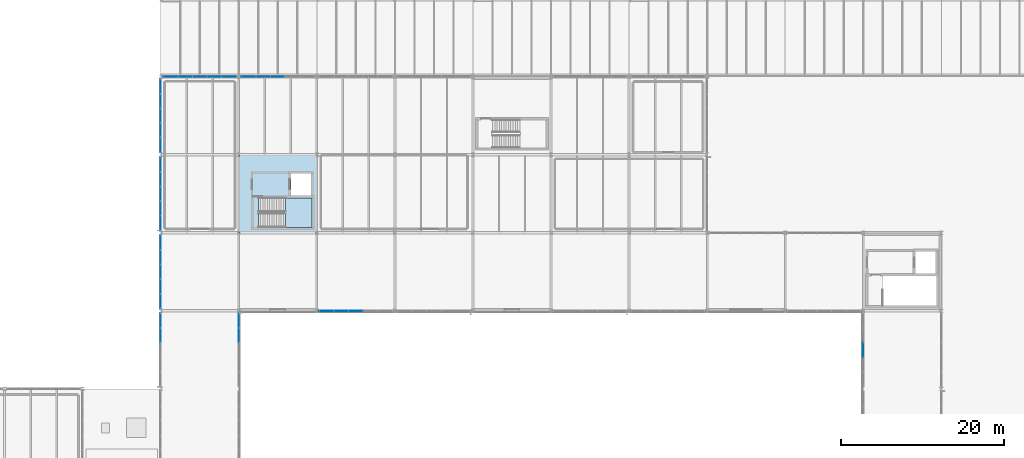
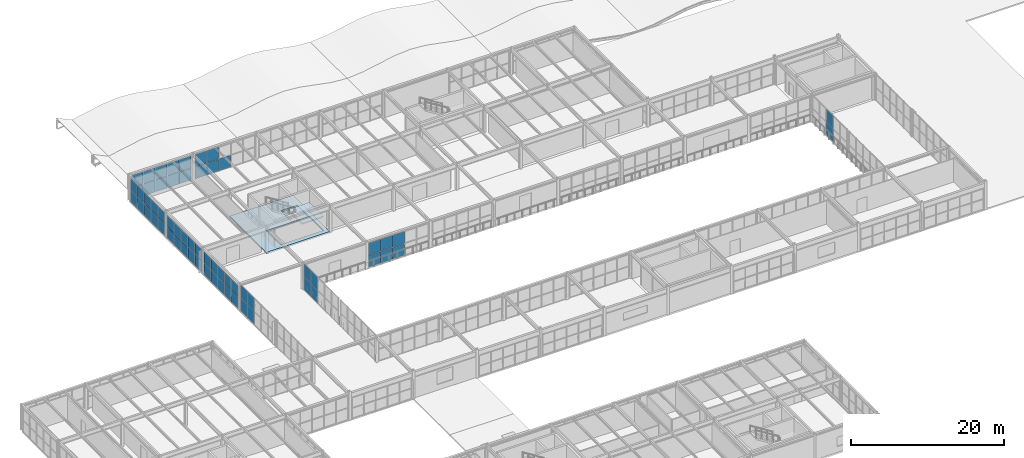
# One storey, part 138 of 170: 61 plates, 2 slabs, 10 elements without a shape of their own.
"""IFC4 building model written with IfcOpenShell, lengths in metres."""

from ifc_helpers import new_model, si_unit, direction, frame, origin, origin_2d, place, context, subcontext, project, spatial, polyline, rectangle, outline, extrude, material, layer, layer_set, type_object, element, aggregate, save


model = new_model("IFC4")

# Units and contexts
model_context = context("Model", 3, precision=1e-05, world=origin(), true_north=direction((0.0, 1.0)))
body_context = subcontext(model_context, "Body", "Model", "MODEL_VIEW")
ifc_project = project(units=[si_unit("LENGTHUNIT", "METRE"), si_unit("AREAUNIT", "SQUARE_METRE"), si_unit("VOLUMEUNIT", "CUBIC_METRE"), si_unit("PLANEANGLEUNIT", "RADIAN"), si_unit("MASSUNIT", "GRAM", prefix="KILO")], contexts=[model_context])

# Site, building, storey
site_placement = place(None, origin())
site = spatial("IfcSite", under=ifc_project, at=site_placement, CompositionType="ELEMENT")
building_placement = place(site_placement, origin())
building = spatial("IfcBuilding", under=site, at=building_placement, Name="Coralgate Yard Interchange", CompositionType="ELEMENT")
storey_placement = place(building_placement, frame((0.0, 0.0, 6.0)))
storey = spatial("IfcBuildingStorey", under=building, at=storey_placement, Name="L01", CompositionType="ELEMENT", Elevation=6.0)

# Curtain wall, plates
ifc_material_1 = material(Name="Anodised coastal aluminium and solar-control low-E glass", Category="aluminium")
curtain_wall_type_1 = type_object("IfcCurtainWallType", Name="CW-CW-L01-A", PredefinedType="NOTDEFINED", material=ifc_material_1)
curtain_wall_1_placement = place(storey_placement, origin())
curtain_wall_1 = element("IfcCurtainWall", 1, at=curtain_wall_1_placement, inside=storey, type_object=curtain_wall_type_1, Name="L01 unitised curtain wall CW-L01-W-04-06", PredefinedType="NOTDEFINED")
ifc_material_2 = material(Name="Solar-control double-glazed low-E glass unit", Category="glass")
ifc_layer_1 = layer(ifc_material_2, 0.031982421875)
ifc_layer_set_1 = layer_set([ifc_layer_1], Name="Solar-control double-glazed low-E glass unit")
plate_type = type_object("IfcPlateType", Name="PLT-CP-32", PredefinedType="CURTAIN_PANEL", material=ifc_layer_set_1)
plate_1_placement = place(storey_placement, frame((38.39990234375, 64.199951171875, 0.02490234375), z_axis=(0.0, 0.0, 1.0), x_axis=(0.0, 1.0, 0.0)))
plate_1 = element("IfcPlate", 2, at=plate_1_placement, type_object=plate_type, Name="CW-L01-W-04-06 solar-control glazing panel 4-1", PredefinedType="CURTAIN_PANEL", context=body_context, shape_type="SweptSolid", body=[
    extrude(rectangle(XDim=1.75, YDim=0.031982421875, at=origin_2d()), origin(), (0.0, 0.0, 1.0), 2.074951171875),
])
plate_2_placement = place(storey_placement, frame((38.39990234375, 64.199951171875, 2.14990234375), z_axis=(0.0, 0.0, 1.0), x_axis=(0.0, 1.0, 0.0)))
plate_2 = element("IfcPlate", 3, at=plate_2_placement, type_object=plate_type, Name="CW-L01-W-04-06 solar-control glazing panel 4-2", PredefinedType="CURTAIN_PANEL", context=body_context, shape_type="SweptSolid", body=[
    extrude(rectangle(XDim=1.75, YDim=0.031982421875, at=origin_2d()), origin(), (0.0, 0.0, 1.0), 2.074951171875),
])
plate_3_placement = place(storey_placement, frame((38.39990234375, 66.0, 0.02490234375), z_axis=(0.0, 0.0, 1.0), x_axis=(0.0, 1.0, 0.0)))
plate_3 = element("IfcPlate", 4, at=plate_3_placement, type_object=plate_type, Name="CW-L01-W-04-06 solar-control glazing panel 5-1", PredefinedType="CURTAIN_PANEL", context=body_context, shape_type="SweptSolid", body=[
    extrude(rectangle(XDim=1.75, YDim=0.031982421875, at=origin_2d()), origin(), (0.0, 0.0, 1.0), 2.074951171875),
])
plate_4_placement = place(storey_placement, frame((38.39990234375, 66.0, 2.14990234375), z_axis=(0.0, 0.0, 1.0), x_axis=(0.0, 1.0, 0.0)))
plate_4 = element("IfcPlate", 5, at=plate_4_placement, type_object=plate_type, Name="CW-L01-W-04-06 solar-control glazing panel 5-2", PredefinedType="CURTAIN_PANEL", context=body_context, shape_type="SweptSolid", body=[
    extrude(rectangle(XDim=1.75, YDim=0.031982421875, at=origin_2d()), origin(), (0.0, 0.0, 1.0), 2.074951171875),
])
aggregate(curtain_wall_1, [plate_1, plate_2, plate_3, plate_4])

curtain_wall_type_2 = type_object("IfcCurtainWallType", Name="CW-CW-L01-B", PredefinedType="NOTDEFINED", material=ifc_material_1)
curtain_wall_2_placement = place(storey_placement, origin())
curtain_wall_2 = element("IfcCurtainWall", 6, at=curtain_wall_2_placement, inside=storey, type_object=curtain_wall_type_2, Name="L01 unitised curtain wall CW-L01-E-04-06", PredefinedType="NOTDEFINED")
plate_5_placement = place(storey_placement, frame((48.0, 66.0, 0.02490234375), z_axis=(0.0, 0.0, 1.0), x_axis=(0.0, -1.0, 0.0)))
plate_5 = element("IfcPlate", 7, at=plate_5_placement, type_object=plate_type, Name="CW-L01-E-04-06 solar-control glazing panel 1-1", PredefinedType="CURTAIN_PANEL", context=body_context, shape_type="SweptSolid", body=[
    extrude(rectangle(XDim=1.75, YDim=0.031982421875, at=origin_2d()), origin(), (0.0, 0.0, 1.0), 2.074951171875),
])
plate_6_placement = place(storey_placement, frame((48.0, 66.0, 2.14990234375), z_axis=(0.0, 0.0, 1.0), x_axis=(0.0, -1.0, 0.0)))
plate_6 = element("IfcPlate", 8, at=plate_6_placement, type_object=plate_type, Name="CW-L01-E-04-06 solar-control glazing panel 1-2", PredefinedType="CURTAIN_PANEL", context=body_context, shape_type="SweptSolid", body=[
    extrude(rectangle(XDim=1.75, YDim=0.031982421875, at=origin_2d()), origin(), (0.0, 0.0, 1.0), 2.074951171875),
])
plate_7_placement = place(storey_placement, frame((48.0, 64.199951171875, 0.02490234375), z_axis=(0.0, 0.0, 1.0), x_axis=(0.0, -1.0, 0.0)))
plate_7 = element("IfcPlate", 9, at=plate_7_placement, type_object=plate_type, Name="CW-L01-E-04-06 solar-control glazing panel 2-1", PredefinedType="CURTAIN_PANEL", context=body_context, shape_type="SweptSolid", body=[
    extrude(rectangle(XDim=1.75, YDim=0.031982421875, at=origin_2d()), origin(), (0.0, 0.0, 1.0), 2.074951171875),
])
plate_8_placement = place(storey_placement, frame((48.0, 64.199951171875, 2.14990234375), z_axis=(0.0, 0.0, 1.0), x_axis=(0.0, -1.0, 0.0)))
plate_8 = element("IfcPlate", 10, at=plate_8_placement, type_object=plate_type, Name="CW-L01-E-04-06 solar-control glazing panel 2-2", PredefinedType="CURTAIN_PANEL", context=body_context, shape_type="SweptSolid", body=[
    extrude(rectangle(XDim=1.75, YDim=0.031982421875, at=origin_2d()), origin(), (0.0, 0.0, 1.0), 2.074951171875),
])
aggregate(curtain_wall_2, [plate_5, plate_6, plate_7, plate_8])

curtain_wall_3_placement = place(storey_placement, origin())
curtain_wall_3 = element("IfcCurtainWall", 11, at=curtain_wall_3_placement, inside=storey, type_object=curtain_wall_type_1, Name="L01 unitised curtain wall CW-L01-W-04-07", PredefinedType="NOTDEFINED")
plate_9_placement = place(storey_placement, frame((38.39990234375, 68.39990234375, 0.02490234375), z_axis=(0.0, 0.0, 1.0), x_axis=(0.0, 1.0, 0.0)))
plate_9 = element("IfcPlate", 12, at=plate_9_placement, type_object=plate_type, Name="CW-L01-W-04-07 solar-control glazing panel 1-1", PredefinedType="CURTAIN_PANEL", context=body_context, shape_type="SweptSolid", body=[
    extrude(rectangle(XDim=1.75, YDim=0.031982421875, at=origin_2d()), origin(), (0.0, 0.0, 1.0), 1.808349609375),
])
plate_10_placement = place(storey_placement, frame((38.39990234375, 68.39990234375, 1.88330078125), z_axis=(0.0, 0.0, 1.0), x_axis=(0.0, 1.0, 0.0)))
plate_10 = element("IfcPlate", 13, at=plate_10_placement, type_object=plate_type, Name="CW-L01-W-04-07 solar-control glazing panel 1-2", PredefinedType="CURTAIN_PANEL", context=body_context, shape_type="SweptSolid", body=[
    extrude(rectangle(XDim=1.75, YDim=0.031982421875, at=origin_2d()), origin(), (0.0, 0.0, 1.0), 1.808349609375),
])
plate_11_placement = place(storey_placement, frame((38.39990234375, 70.199951171875, 0.02490234375), z_axis=(0.0, 0.0, 1.0), x_axis=(0.0, 1.0, 0.0)))
plate_11 = element("IfcPlate", 14, at=plate_11_placement, type_object=plate_type, Name="CW-L01-W-04-07 solar-control glazing panel 2-1", PredefinedType="CURTAIN_PANEL", context=body_context, shape_type="SweptSolid", body=[
    extrude(rectangle(XDim=1.75, YDim=0.031982421875, at=origin_2d()), origin(), (0.0, 0.0, 1.0), 1.808349609375),
])
plate_12_placement = place(storey_placement, frame((38.39990234375, 70.199951171875, 1.88330078125), z_axis=(0.0, 0.0, 1.0), x_axis=(0.0, 1.0, 0.0)))
plate_12 = element("IfcPlate", 15, at=plate_12_placement, type_object=plate_type, Name="CW-L01-W-04-07 solar-control glazing panel 2-2", PredefinedType="CURTAIN_PANEL", context=body_context, shape_type="SweptSolid", body=[
    extrude(rectangle(XDim=1.75, YDim=0.031982421875, at=origin_2d()), origin(), (0.0, 0.0, 1.0), 1.808349609375),
])
plate_13_placement = place(storey_placement, frame((38.39990234375, 72.0, 0.02490234375), z_axis=(0.0, 0.0, 1.0), x_axis=(0.0, 1.0, 0.0)))
plate_13 = element("IfcPlate", 16, at=plate_13_placement, type_object=plate_type, Name="CW-L01-W-04-07 solar-control glazing panel 3-1", PredefinedType="CURTAIN_PANEL", context=body_context, shape_type="SweptSolid", body=[
    extrude(rectangle(XDim=1.75, YDim=0.031982421875, at=origin_2d()), origin(), (0.0, 0.0, 1.0), 1.808349609375),
])
plate_14_placement = place(storey_placement, frame((38.39990234375, 72.0, 1.88330078125), z_axis=(0.0, 0.0, 1.0), x_axis=(0.0, 1.0, 0.0)))
plate_14 = element("IfcPlate", 17, at=plate_14_placement, type_object=plate_type, Name="CW-L01-W-04-07 solar-control glazing panel 3-2", PredefinedType="CURTAIN_PANEL", context=body_context, shape_type="SweptSolid", body=[
    extrude(rectangle(XDim=1.75, YDim=0.031982421875, at=origin_2d()), origin(), (0.0, 0.0, 1.0), 1.808349609375),
])
plate_15_placement = place(storey_placement, frame((38.39990234375, 73.800048828125, 0.02490234375), z_axis=(0.0, 0.0, 1.0), x_axis=(0.0, 1.0, 0.0)))
plate_15 = element("IfcPlate", 18, at=plate_15_placement, type_object=plate_type, Name="CW-L01-W-04-07 solar-control glazing panel 4-1", PredefinedType="CURTAIN_PANEL", context=body_context, shape_type="SweptSolid", body=[
    extrude(rectangle(XDim=1.75, YDim=0.031982421875, at=origin_2d()), origin(), (0.0, 0.0, 1.0), 1.808349609375),
])
plate_16_placement = place(storey_placement, frame((38.39990234375, 73.800048828125, 1.88330078125), z_axis=(0.0, 0.0, 1.0), x_axis=(0.0, 1.0, 0.0)))
plate_16 = element("IfcPlate", 19, at=plate_16_placement, type_object=plate_type, Name="CW-L01-W-04-07 solar-control glazing panel 4-2", PredefinedType="CURTAIN_PANEL", context=body_context, shape_type="SweptSolid", body=[
    extrude(rectangle(XDim=1.75, YDim=0.031982421875, at=origin_2d()), origin(), (0.0, 0.0, 1.0), 1.808349609375),
])
plate_17_placement = place(storey_placement, frame((38.39990234375, 75.60009765625, 0.02490234375), z_axis=(0.0, 0.0, 1.0), x_axis=(0.0, 1.0, 0.0)))
plate_17 = element("IfcPlate", 20, at=plate_17_placement, type_object=plate_type, Name="CW-L01-W-04-07 solar-control glazing panel 5-1", PredefinedType="CURTAIN_PANEL", context=body_context, shape_type="SweptSolid", body=[
    extrude(rectangle(XDim=1.75, YDim=0.031982421875, at=origin_2d()), origin(), (0.0, 0.0, 1.0), 1.808349609375),
])
plate_18_placement = place(storey_placement, frame((38.39990234375, 75.60009765625, 1.88330078125), z_axis=(0.0, 0.0, 1.0), x_axis=(0.0, 1.0, 0.0)))
plate_18 = element("IfcPlate", 21, at=plate_18_placement, type_object=plate_type, Name="CW-L01-W-04-07 solar-control glazing panel 5-2", PredefinedType="CURTAIN_PANEL", context=body_context, shape_type="SweptSolid", body=[
    extrude(rectangle(XDim=1.75, YDim=0.031982421875, at=origin_2d()), origin(), (0.0, 0.0, 1.0), 1.808349609375),
])
aggregate(curtain_wall_3, [plate_9, plate_10, plate_11, plate_12, plate_13, plate_14, plate_15, plate_16, plate_17, plate_18])

curtain_wall_4_placement = place(storey_placement, origin())
curtain_wall_4 = element("IfcCurtainWall", 22, at=curtain_wall_4_placement, inside=storey, type_object=curtain_wall_type_2, Name="L01 unitised curtain wall CW-L01-W-04-08", PredefinedType="NOTDEFINED")
plate_19_placement = place(storey_placement, frame((38.39990234375, 78.0, 0.02490234375), z_axis=(0.0, 0.0, 1.0), x_axis=(0.0, 1.0, 0.0)))
plate_19 = element("IfcPlate", 23, at=plate_19_placement, type_object=plate_type, Name="CW-L01-W-04-08 solar-control glazing panel 1-1", PredefinedType="CURTAIN_PANEL", context=body_context, shape_type="SweptSolid", body=[
    extrude(rectangle(XDim=1.75, YDim=0.031982421875, at=origin_2d()), origin(), (0.0, 0.0, 1.0), 1.808349609375),
])
plate_20_placement = place(storey_placement, frame((38.39990234375, 78.0, 1.88330078125), z_axis=(0.0, 0.0, 1.0), x_axis=(0.0, 1.0, 0.0)))
plate_20 = element("IfcPlate", 24, at=plate_20_placement, type_object=plate_type, Name="CW-L01-W-04-08 solar-control glazing panel 1-2", PredefinedType="CURTAIN_PANEL", context=body_context, shape_type="SweptSolid", body=[
    extrude(rectangle(XDim=1.75, YDim=0.031982421875, at=origin_2d()), origin(), (0.0, 0.0, 1.0), 1.808349609375),
])
plate_21_placement = place(storey_placement, frame((38.39990234375, 79.800048828125, 0.02490234375), z_axis=(0.0, 0.0, 1.0), x_axis=(0.0, 1.0, 0.0)))
plate_21 = element("IfcPlate", 25, at=plate_21_placement, type_object=plate_type, Name="CW-L01-W-04-08 solar-control glazing panel 2-1", PredefinedType="CURTAIN_PANEL", context=body_context, shape_type="SweptSolid", body=[
    extrude(rectangle(XDim=1.75, YDim=0.031982421875, at=origin_2d()), origin(), (0.0, 0.0, 1.0), 1.808349609375),
])
plate_22_placement = place(storey_placement, frame((38.39990234375, 79.800048828125, 1.88330078125), z_axis=(0.0, 0.0, 1.0), x_axis=(0.0, 1.0, 0.0)))
plate_22 = element("IfcPlate", 26, at=plate_22_placement, type_object=plate_type, Name="CW-L01-W-04-08 solar-control glazing panel 2-2", PredefinedType="CURTAIN_PANEL", context=body_context, shape_type="SweptSolid", body=[
    extrude(rectangle(XDim=1.75, YDim=0.031982421875, at=origin_2d()), origin(), (0.0, 0.0, 1.0), 1.808349609375),
])
plate_23_placement = place(storey_placement, frame((38.39990234375, 81.60009765625, 0.02490234375), z_axis=(0.0, 0.0, 1.0), x_axis=(0.0, 1.0, 0.0)))
plate_23 = element("IfcPlate", 27, at=plate_23_placement, type_object=plate_type, Name="CW-L01-W-04-08 solar-control glazing panel 3-1", PredefinedType="CURTAIN_PANEL", context=body_context, shape_type="SweptSolid", body=[
    extrude(rectangle(XDim=1.75, YDim=0.031982421875, at=origin_2d()), origin(), (0.0, 0.0, 1.0), 1.808349609375),
])
plate_24_placement = place(storey_placement, frame((38.39990234375, 81.60009765625, 1.88330078125), z_axis=(0.0, 0.0, 1.0), x_axis=(0.0, 1.0, 0.0)))
plate_24 = element("IfcPlate", 28, at=plate_24_placement, type_object=plate_type, Name="CW-L01-W-04-08 solar-control glazing panel 3-2", PredefinedType="CURTAIN_PANEL", context=body_context, shape_type="SweptSolid", body=[
    extrude(rectangle(XDim=1.75, YDim=0.031982421875, at=origin_2d()), origin(), (0.0, 0.0, 1.0), 1.808349609375),
])
plate_25_placement = place(storey_placement, frame((38.39990234375, 83.39990234375, 0.02490234375), z_axis=(0.0, 0.0, 1.0), x_axis=(0.0, 1.0, 0.0)))
plate_25 = element("IfcPlate", 29, at=plate_25_placement, type_object=plate_type, Name="CW-L01-W-04-08 solar-control glazing panel 4-1", PredefinedType="CURTAIN_PANEL", context=body_context, shape_type="SweptSolid", body=[
    extrude(rectangle(XDim=1.75, YDim=0.031982421875, at=origin_2d()), origin(), (0.0, 0.0, 1.0), 1.808349609375),
])
plate_26_placement = place(storey_placement, frame((38.39990234375, 83.39990234375, 1.88330078125), z_axis=(0.0, 0.0, 1.0), x_axis=(0.0, 1.0, 0.0)))
plate_26 = element("IfcPlate", 30, at=plate_26_placement, type_object=plate_type, Name="CW-L01-W-04-08 solar-control glazing panel 4-2", PredefinedType="CURTAIN_PANEL", context=body_context, shape_type="SweptSolid", body=[
    extrude(rectangle(XDim=1.75, YDim=0.031982421875, at=origin_2d()), origin(), (0.0, 0.0, 1.0), 1.808349609375),
])
plate_27_placement = place(storey_placement, frame((38.39990234375, 85.199951171875, 0.02490234375), z_axis=(0.0, 0.0, 1.0), x_axis=(0.0, 1.0, 0.0)))
plate_27 = element("IfcPlate", 31, at=plate_27_placement, type_object=plate_type, Name="CW-L01-W-04-08 solar-control glazing panel 5-1", PredefinedType="CURTAIN_PANEL", context=body_context, shape_type="SweptSolid", body=[
    extrude(rectangle(XDim=1.75, YDim=0.031982421875, at=origin_2d()), origin(), (0.0, 0.0, 1.0), 1.808349609375),
])
plate_28_placement = place(storey_placement, frame((38.39990234375, 85.199951171875, 1.88330078125), z_axis=(0.0, 0.0, 1.0), x_axis=(0.0, 1.0, 0.0)))
plate_28 = element("IfcPlate", 32, at=plate_28_placement, type_object=plate_type, Name="CW-L01-W-04-08 solar-control glazing panel 5-2", PredefinedType="CURTAIN_PANEL", context=body_context, shape_type="SweptSolid", body=[
    extrude(rectangle(XDim=1.75, YDim=0.031982421875, at=origin_2d()), origin(), (0.0, 0.0, 1.0), 1.808349609375),
])
aggregate(curtain_wall_4, [plate_19, plate_20, plate_21, plate_22, plate_23, plate_24, plate_25, plate_26, plate_27, plate_28])

curtain_wall_5_placement = place(storey_placement, origin())
curtain_wall_5 = element("IfcCurtainWall", 33, at=curtain_wall_5_placement, inside=storey, type_object=curtain_wall_type_1, Name="L01 unitised curtain wall CW-L01-W-04-09", PredefinedType="NOTDEFINED")
plate_29_placement = place(storey_placement, frame((38.39990234375, 87.60009765625, 0.02490234375), z_axis=(0.0, 0.0, 1.0), x_axis=(0.0, 1.0, 0.0)))
plate_29 = element("IfcPlate", 34, at=plate_29_placement, type_object=plate_type, Name="CW-L01-W-04-09 solar-control glazing panel 1-1", PredefinedType="CURTAIN_PANEL", context=body_context, shape_type="SweptSolid", body=[
    extrude(rectangle(XDim=1.75, YDim=0.031982421875, at=origin_2d()), origin(), (0.0, 0.0, 1.0), 1.808349609375),
])
plate_30_placement = place(storey_placement, frame((38.39990234375, 87.60009765625, 1.88330078125), z_axis=(0.0, 0.0, 1.0), x_axis=(0.0, 1.0, 0.0)))
plate_30 = element("IfcPlate", 35, at=plate_30_placement, type_object=plate_type, Name="CW-L01-W-04-09 solar-control glazing panel 1-2", PredefinedType="CURTAIN_PANEL", context=body_context, shape_type="SweptSolid", body=[
    extrude(rectangle(XDim=1.75, YDim=0.031982421875, at=origin_2d()), origin(), (0.0, 0.0, 1.0), 1.808349609375),
])
plate_31_placement = place(storey_placement, frame((38.39990234375, 89.39990234375, 0.02490234375), z_axis=(0.0, 0.0, 1.0), x_axis=(0.0, 1.0, 0.0)))
plate_31 = element("IfcPlate", 36, at=plate_31_placement, type_object=plate_type, Name="CW-L01-W-04-09 solar-control glazing panel 2-1", PredefinedType="CURTAIN_PANEL", context=body_context, shape_type="SweptSolid", body=[
    extrude(rectangle(XDim=1.75, YDim=0.031982421875, at=origin_2d()), origin(), (0.0, 0.0, 1.0), 1.808349609375),
])
plate_32_placement = place(storey_placement, frame((38.39990234375, 89.39990234375, 1.88330078125), z_axis=(0.0, 0.0, 1.0), x_axis=(0.0, 1.0, 0.0)))
plate_32 = element("IfcPlate", 37, at=plate_32_placement, type_object=plate_type, Name="CW-L01-W-04-09 solar-control glazing panel 2-2", PredefinedType="CURTAIN_PANEL", context=body_context, shape_type="SweptSolid", body=[
    extrude(rectangle(XDim=1.75, YDim=0.031982421875, at=origin_2d()), origin(), (0.0, 0.0, 1.0), 1.808349609375),
])
plate_33_placement = place(storey_placement, frame((38.39990234375, 91.199951171875, 0.02490234375), z_axis=(0.0, 0.0, 1.0), x_axis=(0.0, 1.0, 0.0)))
plate_33 = element("IfcPlate", 38, at=plate_33_placement, type_object=plate_type, Name="CW-L01-W-04-09 solar-control glazing panel 3-1", PredefinedType="CURTAIN_PANEL", context=body_context, shape_type="SweptSolid", body=[
    extrude(rectangle(XDim=1.75, YDim=0.031982421875, at=origin_2d()), origin(), (0.0, 0.0, 1.0), 1.808349609375),
])
plate_34_placement = place(storey_placement, frame((38.39990234375, 91.199951171875, 1.88330078125), z_axis=(0.0, 0.0, 1.0), x_axis=(0.0, 1.0, 0.0)))
plate_34 = element("IfcPlate", 39, at=plate_34_placement, type_object=plate_type, Name="CW-L01-W-04-09 solar-control glazing panel 3-2", PredefinedType="CURTAIN_PANEL", context=body_context, shape_type="SweptSolid", body=[
    extrude(rectangle(XDim=1.75, YDim=0.031982421875, at=origin_2d()), origin(), (0.0, 0.0, 1.0), 1.808349609375),
])
plate_35_placement = place(storey_placement, frame((38.39990234375, 93.0, 0.02490234375), z_axis=(0.0, 0.0, 1.0), x_axis=(0.0, 1.0, 0.0)))
plate_35 = element("IfcPlate", 40, at=plate_35_placement, type_object=plate_type, Name="CW-L01-W-04-09 solar-control glazing panel 4-1", PredefinedType="CURTAIN_PANEL", context=body_context, shape_type="SweptSolid", body=[
    extrude(rectangle(XDim=1.75, YDim=0.031982421875, at=origin_2d()), origin(), (0.0, 0.0, 1.0), 1.808349609375),
])
plate_36_placement = place(storey_placement, frame((38.39990234375, 93.0, 1.88330078125), z_axis=(0.0, 0.0, 1.0), x_axis=(0.0, 1.0, 0.0)))
plate_36 = element("IfcPlate", 41, at=plate_36_placement, type_object=plate_type, Name="CW-L01-W-04-09 solar-control glazing panel 4-2", PredefinedType="CURTAIN_PANEL", context=body_context, shape_type="SweptSolid", body=[
    extrude(rectangle(XDim=1.75, YDim=0.031982421875, at=origin_2d()), origin(), (0.0, 0.0, 1.0), 1.808349609375),
])
plate_37_placement = place(storey_placement, frame((38.39990234375, 94.800048828125, 0.02490234375), z_axis=(0.0, 0.0, 1.0), x_axis=(0.0, 1.0, 0.0)))
plate_37 = element("IfcPlate", 42, at=plate_37_placement, type_object=plate_type, Name="CW-L01-W-04-09 solar-control glazing panel 5-1", PredefinedType="CURTAIN_PANEL", context=body_context, shape_type="SweptSolid", body=[
    extrude(rectangle(XDim=1.75, YDim=0.031982421875, at=origin_2d()), origin(), (0.0, 0.0, 1.0), 1.808349609375),
])
plate_38_placement = place(storey_placement, frame((38.39990234375, 94.800048828125, 1.88330078125), z_axis=(0.0, 0.0, 1.0), x_axis=(0.0, 1.0, 0.0)))
plate_38 = element("IfcPlate", 43, at=plate_38_placement, type_object=plate_type, Name="CW-L01-W-04-09 solar-control glazing panel 5-2", PredefinedType="CURTAIN_PANEL", context=body_context, shape_type="SweptSolid", body=[
    extrude(rectangle(XDim=1.75, YDim=0.031982421875, at=origin_2d()), origin(), (0.0, 0.0, 1.0), 1.808349609375),
])
aggregate(curtain_wall_5, [plate_29, plate_30, plate_31, plate_32, plate_33, plate_34, plate_35, plate_36, plate_37, plate_38])

curtain_wall_6_placement = place(storey_placement, origin())
curtain_wall_6 = element("IfcCurtainWall", 44, at=curtain_wall_6_placement, inside=storey, type_object=curtain_wall_type_2, Name="L01 unitised curtain wall CW-L01-N-04-09", PredefinedType="NOTDEFINED")
plate_39_placement = place(storey_placement, frame((39.60009765625, 96.0, 0.025146484375), z_axis=(0.0, 0.0, 1.0), x_axis=(1.0, 0.0, 0.0)))
plate_39 = element("IfcPlate", 45, at=plate_39_placement, type_object=plate_type, Name="CW-L01-N-04-09 solar-control glazing panel 1-1", PredefinedType="CURTAIN_PANEL", context=body_context, shape_type="SweptSolid", body=[
    extrude(rectangle(XDim=1.75, YDim=0.031982421875, at=origin_2d()), origin(), (0.0, 0.0, 1.0), 1.89990234375),
])
plate_40_placement = place(storey_placement, frame((39.60009765625, 96.0, 1.97509765625), z_axis=(0.0, 0.0, 1.0), x_axis=(1.0, 0.0, 0.0)))
plate_40 = element("IfcPlate", 46, at=plate_40_placement, type_object=plate_type, Name="CW-L01-N-04-09 solar-control glazing panel 1-2", PredefinedType="CURTAIN_PANEL", context=body_context, shape_type="SweptSolid", body=[
    extrude(rectangle(XDim=1.75, YDim=0.031982421875, at=origin_2d()), origin(), (0.0, 0.0, 1.0), 1.89990234375),
])
plate_41_placement = place(storey_placement, frame((41.39990234375, 96.0, 0.025146484375), z_axis=(0.0, 0.0, 1.0), x_axis=(1.0, 0.0, 0.0)))
plate_41 = element("IfcPlate", 47, at=plate_41_placement, type_object=plate_type, Name="CW-L01-N-04-09 solar-control glazing panel 2-1", PredefinedType="CURTAIN_PANEL", context=body_context, shape_type="SweptSolid", body=[
    extrude(rectangle(XDim=1.75, YDim=0.031982421875, at=origin_2d()), origin(), (0.0, 0.0, 1.0), 1.89990234375),
])
plate_42_placement = place(storey_placement, frame((41.39990234375, 96.0, 1.97509765625), z_axis=(0.0, 0.0, 1.0), x_axis=(1.0, 0.0, 0.0)))
plate_42 = element("IfcPlate", 48, at=plate_42_placement, type_object=plate_type, Name="CW-L01-N-04-09 solar-control glazing panel 2-2", PredefinedType="CURTAIN_PANEL", context=body_context, shape_type="SweptSolid", body=[
    extrude(rectangle(XDim=1.75, YDim=0.031982421875, at=origin_2d()), origin(), (0.0, 0.0, 1.0), 1.89990234375),
])
plate_43_placement = place(storey_placement, frame((43.199951171875, 96.0, 0.025146484375), z_axis=(0.0, 0.0, 1.0), x_axis=(1.0, 0.0, 0.0)))
plate_43 = element("IfcPlate", 49, at=plate_43_placement, type_object=plate_type, Name="CW-L01-N-04-09 solar-control glazing panel 3-1", PredefinedType="CURTAIN_PANEL", context=body_context, shape_type="SweptSolid", body=[
    extrude(rectangle(XDim=1.75, YDim=0.031982421875, at=origin_2d()), origin(), (0.0, 0.0, 1.0), 1.89990234375),
])
plate_44_placement = place(storey_placement, frame((43.199951171875, 96.0, 1.97509765625), z_axis=(0.0, 0.0, 1.0), x_axis=(1.0, 0.0, 0.0)))
plate_44 = element("IfcPlate", 50, at=plate_44_placement, type_object=plate_type, Name="CW-L01-N-04-09 solar-control glazing panel 3-2", PredefinedType="CURTAIN_PANEL", context=body_context, shape_type="SweptSolid", body=[
    extrude(rectangle(XDim=1.75, YDim=0.031982421875, at=origin_2d()), origin(), (0.0, 0.0, 1.0), 1.89990234375),
])
plate_45_placement = place(storey_placement, frame((45.0, 96.0, 0.025146484375), z_axis=(0.0, 0.0, 1.0), x_axis=(1.0, 0.0, 0.0)))
plate_45 = element("IfcPlate", 51, at=plate_45_placement, type_object=plate_type, Name="CW-L01-N-04-09 solar-control glazing panel 4-1", PredefinedType="CURTAIN_PANEL", context=body_context, shape_type="SweptSolid", body=[
    extrude(rectangle(XDim=1.75, YDim=0.031982421875, at=origin_2d()), origin(), (0.0, 0.0, 1.0), 1.89990234375),
])
plate_46_placement = place(storey_placement, frame((45.0, 96.0, 1.97509765625), z_axis=(0.0, 0.0, 1.0), x_axis=(1.0, 0.0, 0.0)))
plate_46 = element("IfcPlate", 52, at=plate_46_placement, type_object=plate_type, Name="CW-L01-N-04-09 solar-control glazing panel 4-2", PredefinedType="CURTAIN_PANEL", context=body_context, shape_type="SweptSolid", body=[
    extrude(rectangle(XDim=1.75, YDim=0.031982421875, at=origin_2d()), origin(), (0.0, 0.0, 1.0), 1.89990234375),
])
plate_47_placement = place(storey_placement, frame((46.800048828125, 96.0, 0.025146484375), z_axis=(0.0, 0.0, 1.0), x_axis=(1.0, 0.0, 0.0)))
plate_47 = element("IfcPlate", 53, at=plate_47_placement, type_object=plate_type, Name="CW-L01-N-04-09 solar-control glazing panel 5-1", PredefinedType="CURTAIN_PANEL", context=body_context, shape_type="SweptSolid", body=[
    extrude(rectangle(XDim=1.75, YDim=0.031982421875, at=origin_2d()), origin(), (0.0, 0.0, 1.0), 1.89990234375),
])
plate_48_placement = place(storey_placement, frame((46.800048828125, 96.0, 1.97509765625), z_axis=(0.0, 0.0, 1.0), x_axis=(1.0, 0.0, 0.0)))
plate_48 = element("IfcPlate", 54, at=plate_48_placement, type_object=plate_type, Name="CW-L01-N-04-09 solar-control glazing panel 5-2", PredefinedType="CURTAIN_PANEL", context=body_context, shape_type="SweptSolid", body=[
    extrude(rectangle(XDim=1.75, YDim=0.031982421875, at=origin_2d()), origin(), (0.0, 0.0, 1.0), 1.89990234375),
])
aggregate(curtain_wall_6, [plate_39, plate_40, plate_41, plate_42, plate_43, plate_44, plate_45, plate_46, plate_47, plate_48])

curtain_wall_7_placement = place(storey_placement, origin())
curtain_wall_7 = element("IfcCurtainWall", 55, at=curtain_wall_7_placement, inside=storey, type_object=curtain_wall_type_2, Name="L01 unitised curtain wall CW-L01-N-05-09", PredefinedType="NOTDEFINED")
plate_49_placement = place(storey_placement, frame((49.199951171875, 96.0, 0.025146484375), z_axis=(0.0, 0.0, 1.0), x_axis=(1.0, 0.0, 0.0)))
plate_49 = element("IfcPlate", 56, at=plate_49_placement, type_object=plate_type, Name="CW-L01-N-05-09 solar-control glazing panel 1-1", PredefinedType="CURTAIN_PANEL", context=body_context, shape_type="SweptSolid", body=[
    extrude(rectangle(XDim=1.75, YDim=0.031982421875, at=origin_2d()), origin(), (0.0, 0.0, 1.0), 1.89990234375),
])
plate_50_placement = place(storey_placement, frame((49.199951171875, 96.0, 1.97509765625), z_axis=(0.0, 0.0, 1.0), x_axis=(1.0, 0.0, 0.0)))
plate_50 = element("IfcPlate", 57, at=plate_50_placement, type_object=plate_type, Name="CW-L01-N-05-09 solar-control glazing panel 1-2", PredefinedType="CURTAIN_PANEL", context=body_context, shape_type="SweptSolid", body=[
    extrude(rectangle(XDim=1.75, YDim=0.031982421875, at=origin_2d()), origin(), (0.0, 0.0, 1.0), 1.89990234375),
])
plate_51_placement = place(storey_placement, frame((51.0, 96.0, 0.025146484375), z_axis=(0.0, 0.0, 1.0), x_axis=(1.0, 0.0, 0.0)))
plate_51 = element("IfcPlate", 58, at=plate_51_placement, type_object=plate_type, Name="CW-L01-N-05-09 solar-control glazing panel 2-1", PredefinedType="CURTAIN_PANEL", context=body_context, shape_type="SweptSolid", body=[
    extrude(rectangle(XDim=1.75, YDim=0.031982421875, at=origin_2d()), origin(), (0.0, 0.0, 1.0), 1.89990234375),
])
plate_52_placement = place(storey_placement, frame((51.0, 96.0, 1.97509765625), z_axis=(0.0, 0.0, 1.0), x_axis=(1.0, 0.0, 0.0)))
plate_52 = element("IfcPlate", 59, at=plate_52_placement, type_object=plate_type, Name="CW-L01-N-05-09 solar-control glazing panel 2-2", PredefinedType="CURTAIN_PANEL", context=body_context, shape_type="SweptSolid", body=[
    extrude(rectangle(XDim=1.75, YDim=0.031982421875, at=origin_2d()), origin(), (0.0, 0.0, 1.0), 1.89990234375),
])
plate_53_placement = place(storey_placement, frame((52.800048828125, 96.0, 0.025146484375), z_axis=(0.0, 0.0, 1.0), x_axis=(1.0, 0.0, 0.0)))
plate_53 = element("IfcPlate", 60, at=plate_53_placement, type_object=plate_type, Name="CW-L01-N-05-09 solar-control glazing panel 3-1", PredefinedType="CURTAIN_PANEL", context=body_context, shape_type="SweptSolid", body=[
    extrude(rectangle(XDim=1.75, YDim=0.031982421875, at=origin_2d()), origin(), (0.0, 0.0, 1.0), 1.89990234375),
])
aggregate(curtain_wall_7, [plate_49, plate_50, plate_51, plate_52, plate_53])

curtain_wall_8_placement = place(storey_placement, origin())
curtain_wall_8 = element("IfcCurtainWall", 61, at=curtain_wall_8_placement, inside=storey, type_object=curtain_wall_type_1, Name="L01 unitised curtain wall CW-L01-S-06-07", PredefinedType="NOTDEFINED")
plate_54_placement = place(storey_placement, frame((62.39990234375, 67.199951171875, 0.025146484375), z_axis=(0.0, 0.0, 1.0), x_axis=(-1.0, 0.0, 0.0)))
plate_54 = element("IfcPlate", 62, at=plate_54_placement, type_object=plate_type, Name="CW-L01-S-06-07 solar-control glazing panel 3-1", PredefinedType="CURTAIN_PANEL", context=body_context, shape_type="SweptSolid", body=[
    extrude(rectangle(XDim=1.75, YDim=0.031982421875, at=origin_2d()), origin(), (0.0, 0.0, 1.0), 1.89990234375),
])
plate_55_placement = place(storey_placement, frame((62.39990234375, 67.199951171875, 1.97509765625), z_axis=(0.0, 0.0, 1.0), x_axis=(-1.0, 0.0, 0.0)))
plate_55 = element("IfcPlate", 63, at=plate_55_placement, type_object=plate_type, Name="CW-L01-S-06-07 solar-control glazing panel 3-2", PredefinedType="CURTAIN_PANEL", context=body_context, shape_type="SweptSolid", body=[
    extrude(rectangle(XDim=1.75, YDim=0.031982421875, at=origin_2d()), origin(), (0.0, 0.0, 1.0), 1.89990234375),
])
plate_56_placement = place(storey_placement, frame((60.60009765625, 67.199951171875, 0.025146484375), z_axis=(0.0, 0.0, 1.0), x_axis=(-1.0, 0.0, 0.0)))
plate_56 = element("IfcPlate", 64, at=plate_56_placement, type_object=plate_type, Name="CW-L01-S-06-07 solar-control glazing panel 4-1", PredefinedType="CURTAIN_PANEL", context=body_context, shape_type="SweptSolid", body=[
    extrude(rectangle(XDim=1.75, YDim=0.031982421875, at=origin_2d()), origin(), (0.0, 0.0, 1.0), 1.89990234375),
])
plate_57_placement = place(storey_placement, frame((60.60009765625, 67.199951171875, 1.97509765625), z_axis=(0.0, 0.0, 1.0), x_axis=(-1.0, 0.0, 0.0)))
plate_57 = element("IfcPlate", 65, at=plate_57_placement, type_object=plate_type, Name="CW-L01-S-06-07 solar-control glazing panel 4-2", PredefinedType="CURTAIN_PANEL", context=body_context, shape_type="SweptSolid", body=[
    extrude(rectangle(XDim=1.75, YDim=0.031982421875, at=origin_2d()), origin(), (0.0, 0.0, 1.0), 1.89990234375),
])
plate_58_placement = place(storey_placement, frame((58.800048828125, 67.199951171875, 0.025146484375), z_axis=(0.0, 0.0, 1.0), x_axis=(-1.0, 0.0, 0.0)))
plate_58 = element("IfcPlate", 66, at=plate_58_placement, type_object=plate_type, Name="CW-L01-S-06-07 solar-control glazing panel 5-1", PredefinedType="CURTAIN_PANEL", context=body_context, shape_type="SweptSolid", body=[
    extrude(rectangle(XDim=1.75, YDim=0.031982421875, at=origin_2d()), origin(), (0.0, 0.0, 1.0), 1.89990234375),
])
plate_59_placement = place(storey_placement, frame((58.800048828125, 67.199951171875, 1.97509765625), z_axis=(0.0, 0.0, 1.0), x_axis=(-1.0, 0.0, 0.0)))
plate_59 = element("IfcPlate", 67, at=plate_59_placement, type_object=plate_type, Name="CW-L01-S-06-07 solar-control glazing panel 5-2", PredefinedType="CURTAIN_PANEL", context=body_context, shape_type="SweptSolid", body=[
    extrude(rectangle(XDim=1.75, YDim=0.031982421875, at=origin_2d()), origin(), (0.0, 0.0, 1.0), 1.89990234375),
])
aggregate(curtain_wall_8, [plate_54, plate_55, plate_56, plate_57, plate_58, plate_59])

curtain_wall_9_placement = place(storey_placement, origin())
curtain_wall_9 = element("IfcCurtainWall", 68, at=curtain_wall_9_placement, inside=storey, type_object=curtain_wall_type_1, Name="L01 unitised curtain wall CW-L01-W-13-06", PredefinedType="NOTDEFINED")
plate_60_placement = place(storey_placement, frame((124.800048828125, 62.39990234375, 0.02490234375), z_axis=(0.0, 0.0, 1.0), x_axis=(0.0, 1.0, 0.0)))
plate_60 = element("IfcPlate", 69, at=plate_60_placement, type_object=plate_type, Name="CW-L01-W-13-06 solar-control glazing panel 3-1", PredefinedType="CURTAIN_PANEL", context=body_context, shape_type="SweptSolid", body=[
    extrude(rectangle(XDim=1.75, YDim=0.031982421875, at=origin_2d()), origin(), (0.0, 0.0, 1.0), 2.074951171875),
])
plate_61_placement = place(storey_placement, frame((124.800048828125, 62.39990234375, 2.14990234375), z_axis=(0.0, 0.0, 1.0), x_axis=(0.0, 1.0, 0.0)))
plate_61 = element("IfcPlate", 70, at=plate_61_placement, type_object=plate_type, Name="CW-L01-W-13-06 solar-control glazing panel 3-2", PredefinedType="CURTAIN_PANEL", context=body_context, shape_type="SweptSolid", body=[
    extrude(rectangle(XDim=1.75, YDim=0.031982421875, at=origin_2d()), origin(), (0.0, 0.0, 1.0), 2.074951171875),
])
aggregate(curtain_wall_9, [plate_60, plate_61])

# Stair, slab
ifc_material_3 = material(Name="Concrete C40/50", Category="concrete")
stair_type = type_object("IfcStairType", Name="STR-DL-175-45", PredefinedType="HALF_TURN_STAIR", material=ifc_material_3)
stair_placement = place(storey_placement, origin())
stair = element("IfcStair", 71, at=stair_placement, inside=storey, type_object=stair_type, Name="L01 Escape stair ST-05", PredefinedType="HALF_TURN_STAIR")
ifc_layer_2 = layer(ifc_material_3, 0.199951171875)
ifc_layer_set_2 = layer_set([ifc_layer_2], Name="Concrete C40/50")
slab_type_1 = type_object("IfcSlabType", Name="SLB-LND200", PredefinedType="LANDING", material=ifc_layer_set_2)
slab_1_placement = place(storey_placement, frame((0.0, 0.0, 2.050048828125)))
slab_1 = element("IfcSlab", 72, at=slab_1_placement, type_object=slab_type_1, Name="ST-05 landing 1", PredefinedType="LANDING", context=body_context, shape_type="SweptSolid", body=[
    extrude(outline(polyline([(53.760009765625, 77.449951171875), (57.0, 77.449951171875), (57.0, 81.110107421875), (53.760009765625, 81.110107421875), (53.760009765625, 77.449951171875)])), origin(), (0.0, 0.0, 1.0), 0.199951171875),
])
aggregate(stair, [slab_1])

# Slab
ifc_layer_3 = layer(ifc_material_3, 0.25)
ifc_layer_set_3 = layer_set([ifc_layer_3], Name="Concrete C40/50")
slab_type_2 = type_object("IfcSlabType", Name="SLB-SL-FLR250", PredefinedType="FLOOR", material=ifc_layer_set_3)
slab_2_placement = place(storey_placement, frame((0.0, 0.0, -0.25)))
element("IfcSlab", 73, at=slab_2_placement, inside=storey, type_object=slab_type_2, Name="L01 core C5 structural floor slab", PredefinedType="FLOOR", context=body_context, shape_type="SweptSolid", body=[
    extrude(outline(polyline([(57.60009765625, 86.39990234375), (57.60009765625, 76.800048828125), (48.0, 76.800048828125), (48.0, 86.39990234375), (57.60009765625, 86.39990234375)]), holes=[polyline([(57.0, 81.110107421875), (50.419921875, 81.110107421875), (50.419921875, 77.449951171875), (57.0, 77.449951171875), (57.0, 81.110107421875)]), polyline([(56.89990234375, 81.25), (56.89990234375, 84.10009765625), (54.39990234375, 84.10009765625), (54.39990234375, 81.25), (56.89990234375, 81.25)])]), origin(), (0.0, 0.0, 1.0), 0.25),
])

save(model, "model.ifc")
